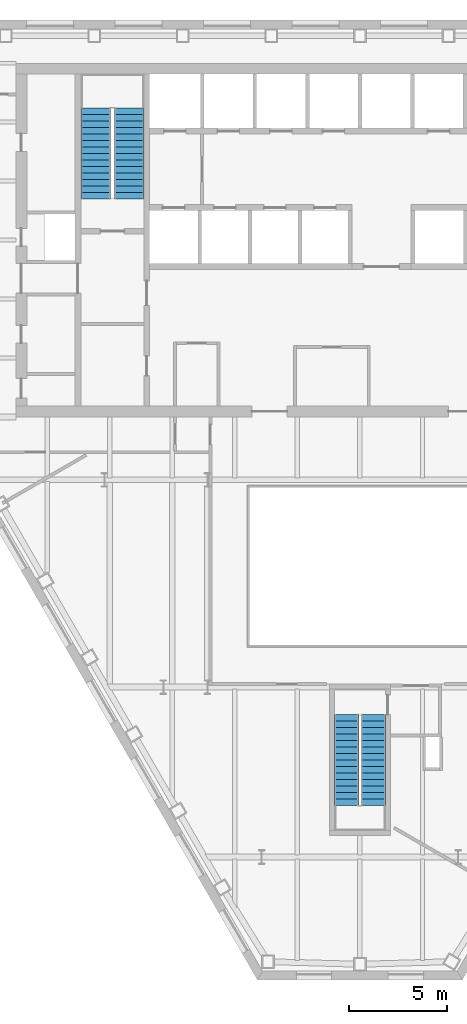
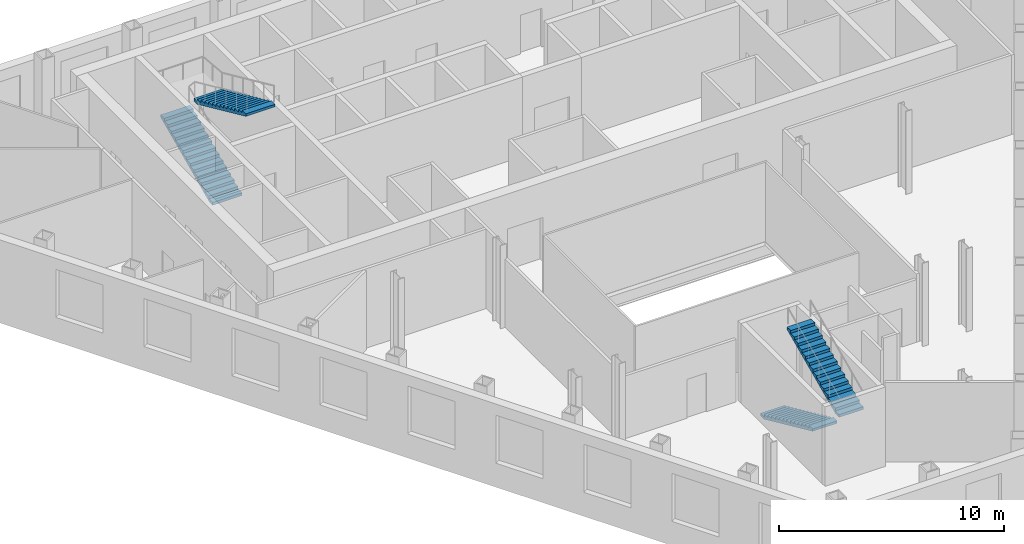
# One storey, part 9 of 11: 4 stair flights, 2 elements without a shape of their own.
"""IFC4 building model written with IfcOpenShell, lengths in metres."""

from ifc_helpers import new_model, si_unit, direction, frame, origin, place, context, subcontext, project, spatial, polygons, material, type_object, element, aggregate, save


model = new_model("IFC4")

# Units and contexts
model_context = context("Model", 3, precision=1e-05, world=origin(), true_north=direction((0.0, 1.0)))
body_context = subcontext(model_context, "Body", "Model", "MODEL_VIEW")
ifc_project = project(units=[si_unit("LENGTHUNIT", "METRE"), si_unit("AREAUNIT", "SQUARE_METRE"), si_unit("VOLUMEUNIT", "CUBIC_METRE"), si_unit("PLANEANGLEUNIT", "RADIAN"), si_unit("MASSUNIT", "GRAM", prefix="KILO")], contexts=[model_context])

# Site, building, storey
site_placement = place(None, origin())
site = spatial("IfcSite", under=ifc_project, at=site_placement, CompositionType="ELEMENT")
building_placement = place(site_placement, origin())
building = spatial("IfcBuilding", under=site, at=building_placement, Name="Njiva Tower", CompositionType="ELEMENT")
storey_placement = place(building_placement, frame((0.0, 0.0, 88.8)))
storey = spatial("IfcBuildingStorey", under=building, at=storey_placement, Name="L18", CompositionType="ELEMENT", Elevation=88.8)

# Stair, stair flights
ifc_material = material(Name="Concrete C40/50", Category="concrete")
stair_type_1 = type_object("IfcStairType", Name="ST1 Exit stair 1250", PredefinedType="HALF_TURN_STAIR", material=ifc_material)
stair_1_placement = place(storey_placement, origin())
stair_1 = element("IfcStair", 1, at=stair_1_placement, inside=storey, type_object=stair_type_1, Name="Stair C", PredefinedType="HALF_TURN_STAIR")
stair_flight_type_1 = type_object("IfcStairFlightType", Name="FL1 Stair flight 1250", PredefinedType="STRAIGHT", material=ifc_material)
stair_flight_1_placement = place(storey_placement, frame((-0.675, -15.16, 0.0), z_axis=(0.0, 0.0, 1.0), x_axis=(0.0, -1.0, 0.0)))
stair_flight_1 = element("IfcStairFlight", 2, at=stair_flight_1_placement, type_object=stair_flight_type_1, Name="ST-C flight 1", NumberOfRisers=15, NumberOfTreads=14, PredefinedType="STRAIGHT", RiserHeight=0.15, TreadLength=0.33, context=body_context, shape_type="Tessellation", body=[
    polygons([(0.0, 0.625, 0.0), (0.0, 0.3125, 0.0), (0.0, 0.0, 0.0), (0.0, -0.3125, 0.0), (0.0, -0.625, 0.0), (0.0, 0.625, 0.15), (0.0, 0.3125, 0.15), (0.0, 0.0, 0.15), (0.0, -0.3125, 0.15), (0.0, -0.625, 0.15), (0.33, 0.625, 0.15), (0.33, 0.3125, 0.15), (0.33, 0.0, 0.15), (0.33, -0.3125, 0.15), (0.33, -0.625, 0.15), (0.33, 0.625, 0.3), (0.33, 0.3125, 0.3), (0.33, 0.0, 0.3), (0.33, -0.3125, 0.3), (0.33, -0.625, 0.3), (0.66, 0.625, 0.3), (0.66, 0.3125, 0.3), (0.66, 0.0, 0.3), (0.66, -0.3125, 0.3), (0.66, -0.625, 0.3), (0.66, 0.625, 0.45), (0.66, 0.3125, 0.45), (0.66, 0.0, 0.45), (0.66, -0.3125, 0.45), (0.66, -0.625, 0.45), (0.99, 0.625, 0.45), (0.99, 0.3125, 0.45), (0.99, 0.0, 0.45), (0.99, -0.3125, 0.45), (0.99, -0.625, 0.45), (0.99, 0.625, 0.6), (0.99, 0.3125, 0.6), (0.99, 0.0, 0.6), (0.99, -0.3125, 0.6), (0.99, -0.625, 0.6), (1.32, 0.625, 0.6), (1.32, 0.3125, 0.6), (1.32, 0.0, 0.6), (1.32, -0.3125, 0.6), (1.32, -0.625, 0.6), (1.32, 0.625, 0.75), (1.32, 0.3125, 0.75), (1.32, 0.0, 0.75), (1.32, -0.3125, 0.75), (1.32, -0.625, 0.75), (1.65, 0.625, 0.75), (1.65, 0.3125, 0.75), (1.65, 0.0, 0.75), (1.65, -0.3125, 0.75), (1.65, -0.625, 0.75), (1.65, 0.625, 0.9), (1.65, 0.3125, 0.9), (1.65, 0.0, 0.9), (1.65, -0.3125, 0.9), (1.65, -0.625, 0.9), (1.98, 0.625, 0.9), (1.98, 0.3125, 0.9), (1.98, 0.0, 0.9), (1.98, -0.3125, 0.9), (1.98, -0.625, 0.9), (1.98, 0.625, 1.05), (1.98, 0.3125, 1.05), (1.98, 0.0, 1.05), (1.98, -0.3125, 1.05), (1.98, -0.625, 1.05), (2.31, 0.625, 1.05), (2.31, 0.3125, 1.05), (2.31, 0.0, 1.05), (2.31, -0.3125, 1.05), (2.31, -0.625, 1.05), (2.31, 0.625, 1.2), (2.31, 0.3125, 1.2), (2.31, 0.0, 1.2), (2.31, -0.3125, 1.2), (2.31, -0.625, 1.2), (2.64, 0.625, 1.2), (2.64, 0.3125, 1.2), (2.64, 0.0, 1.2), (2.64, -0.3125, 1.2), (2.64, -0.625, 1.2), (2.64, 0.625, 1.35), (2.64, 0.3125, 1.35), (2.64, 0.0, 1.35), (2.64, -0.3125, 1.35), (2.64, -0.625, 1.35), (2.97, 0.625, 1.35), (2.97, 0.3125, 1.35), (2.97, 0.0, 1.35), (2.97, -0.3125, 1.35), (2.97, -0.625, 1.35), (2.97, 0.625, 1.5), (2.97, 0.3125, 1.5), (2.97, 0.0, 1.5), (2.97, -0.3125, 1.5), (2.97, -0.625, 1.5), (3.3, 0.625, 1.5), (3.3, 0.3125, 1.5), (3.3, 0.0, 1.5), (3.3, -0.3125, 1.5), (3.3, -0.625, 1.5), (3.3, 0.625, 1.65), (3.3, 0.3125, 1.65), (3.3, 0.0, 1.65), (3.3, -0.3125, 1.65), (3.3, -0.625, 1.65), (3.63, 0.625, 1.65), (3.63, 0.3125, 1.65), (3.63, 0.0, 1.65), (3.63, -0.3125, 1.65), (3.63, -0.625, 1.65), (3.63, 0.625, 1.8), (3.63, 0.3125, 1.8), (3.63, 0.0, 1.8), (3.63, -0.3125, 1.8), (3.63, -0.625, 1.8), (3.96, 0.625, 1.8), (3.96, 0.3125, 1.8), (3.96, 0.0, 1.8), (3.96, -0.3125, 1.8), (3.96, -0.625, 1.8), (3.96, 0.625, 1.95), (3.96, 0.3125, 1.95), (3.96, 0.0, 1.95), (3.96, -0.3125, 1.95), (3.96, -0.625, 1.95), (4.29, 0.625, 1.95), (4.29, 0.3125, 1.95), (4.29, 0.0, 1.95), (4.29, -0.3125, 1.95), (4.29, -0.625, 1.95), (4.29, 0.625, 2.1), (4.29, 0.3125, 2.1), (4.29, 0.0, 2.1), (4.29, -0.3125, 2.1), (4.29, -0.625, 2.1), (4.62, 0.625, 2.1), (4.62, 0.3125, 2.1), (4.62, 0.0, 2.1), (4.62, -0.3125, 2.1), (4.62, -0.625, 2.1), (4.62, 0.625, 1.9682), (4.62, 0.3125, 1.9682), (4.62, 0.0, 1.9682), (4.62, -0.3125, 1.9682), (4.62, -0.625, 1.9682), (0.29, 0.625, 0.0), (0.29, 0.3125, 0.0), (0.29, 0.0, 0.0), (0.29, -0.3125, 0.0), (0.29, -0.625, 0.0)], [[[1, 6, 11, 16, 21, 26, 31, 36, 41, 46, 51, 56, 61, 66, 71, 76, 81, 86, 91, 96, 101, 106, 111, 116, 121, 126, 131, 136, 141, 146, 151]], [[155, 150, 145, 140, 135, 130, 125, 120, 115, 110, 105, 100, 95, 90, 85, 80, 75, 70, 65, 60, 55, 50, 45, 40, 35, 30, 25, 20, 15, 10, 5]], [[6, 1, 2, 7]], [[7, 2, 3, 8]], [[8, 3, 4, 9]], [[9, 4, 5, 10]], [[11, 6, 7, 12]], [[12, 7, 8, 13]], [[13, 8, 9, 14]], [[14, 9, 10, 15]], [[16, 11, 12, 17]], [[17, 12, 13, 18]], [[18, 13, 14, 19]], [[19, 14, 15, 20]], [[21, 16, 17, 22]], [[22, 17, 18, 23]], [[23, 18, 19, 24]], [[24, 19, 20, 25]], [[26, 21, 22, 27]], [[27, 22, 23, 28]], [[28, 23, 24, 29]], [[29, 24, 25, 30]], [[31, 26, 27, 32]], [[32, 27, 28, 33]], [[33, 28, 29, 34]], [[34, 29, 30, 35]], [[36, 31, 32, 37]], [[37, 32, 33, 38]], [[38, 33, 34, 39]], [[39, 34, 35, 40]], [[41, 36, 37, 42]], [[42, 37, 38, 43]], [[43, 38, 39, 44]], [[44, 39, 40, 45]], [[46, 41, 42, 47]], [[47, 42, 43, 48]], [[48, 43, 44, 49]], [[49, 44, 45, 50]], [[51, 46, 47, 52]], [[52, 47, 48, 53]], [[53, 48, 49, 54]], [[54, 49, 50, 55]], [[56, 51, 52, 57]], [[57, 52, 53, 58]], [[58, 53, 54, 59]], [[59, 54, 55, 60]], [[61, 56, 57, 62]], [[62, 57, 58, 63]], [[63, 58, 59, 64]], [[64, 59, 60, 65]], [[66, 61, 62, 67]], [[67, 62, 63, 68]], [[68, 63, 64, 69]], [[69, 64, 65, 70]], [[71, 66, 67, 72]], [[72, 67, 68, 73]], [[73, 68, 69, 74]], [[74, 69, 70, 75]], [[76, 71, 72, 77]], [[77, 72, 73, 78]], [[78, 73, 74, 79]], [[79, 74, 75, 80]], [[81, 76, 77, 82]], [[82, 77, 78, 83]], [[83, 78, 79, 84]], [[84, 79, 80, 85]], [[86, 81, 82, 87]], [[87, 82, 83, 88]], [[88, 83, 84, 89]], [[89, 84, 85, 90]], [[91, 86, 87, 92]], [[92, 87, 88, 93]], [[93, 88, 89, 94]], [[94, 89, 90, 95]], [[96, 91, 92, 97]], [[97, 92, 93, 98]], [[98, 93, 94, 99]], [[99, 94, 95, 100]], [[101, 96, 97, 102]], [[102, 97, 98, 103]], [[103, 98, 99, 104]], [[104, 99, 100, 105]], [[106, 101, 102, 107]], [[107, 102, 103, 108]], [[108, 103, 104, 109]], [[109, 104, 105, 110]], [[111, 106, 107, 112]], [[112, 107, 108, 113]], [[113, 108, 109, 114]], [[114, 109, 110, 115]], [[116, 111, 112, 117]], [[117, 112, 113, 118]], [[118, 113, 114, 119]], [[119, 114, 115, 120]], [[121, 116, 117, 122]], [[122, 117, 118, 123]], [[123, 118, 119, 124]], [[124, 119, 120, 125]], [[126, 121, 122, 127]], [[127, 122, 123, 128]], [[128, 123, 124, 129]], [[129, 124, 125, 130]], [[131, 126, 127, 132]], [[132, 127, 128, 133]], [[133, 128, 129, 134]], [[134, 129, 130, 135]], [[136, 131, 132, 137]], [[137, 132, 133, 138]], [[138, 133, 134, 139]], [[139, 134, 135, 140]], [[141, 136, 137, 142]], [[142, 137, 138, 143]], [[143, 138, 139, 144]], [[144, 139, 140, 145]], [[146, 141, 142, 147]], [[147, 142, 143, 148]], [[148, 143, 144, 149]], [[149, 144, 145, 150]], [[151, 146, 147, 152]], [[152, 147, 148, 153]], [[153, 148, 149, 154]], [[154, 149, 150, 155]], [[1, 151, 152, 2]], [[2, 152, 153, 3]], [[3, 153, 154, 4]], [[4, 154, 155, 5]]], closed=True),
])
stair_flight_2_placement = place(storey_placement, frame((0.675, -19.78, 2.25), z_axis=(0.0, 0.0, 1.0), x_axis=(0.0, 1.0, 0.0)))
stair_flight_2 = element("IfcStairFlight", 3, at=stair_flight_2_placement, type_object=stair_flight_type_1, Name="ST-C flight 2", NumberOfRisers=15, NumberOfTreads=14, PredefinedType="STRAIGHT", RiserHeight=0.15, TreadLength=0.33, context=body_context, shape_type="Tessellation", body=[
    polygons([(0.0, 0.625, 0.0), (0.0, 0.3125, 0.0), (0.0, 0.0, 0.0), (0.0, -0.3125, 0.0), (0.0, -0.625, 0.0), (0.0, 0.625, 0.15), (0.0, 0.3125, 0.15), (0.0, 0.0, 0.15), (0.0, -0.3125, 0.15), (0.0, -0.625, 0.15), (0.33, 0.625, 0.15), (0.33, 0.3125, 0.15), (0.33, 0.0, 0.15), (0.33, -0.3125, 0.15), (0.33, -0.625, 0.15), (0.33, 0.625, 0.3), (0.33, 0.3125, 0.3), (0.33, 0.0, 0.3), (0.33, -0.3125, 0.3), (0.33, -0.625, 0.3), (0.66, 0.625, 0.3), (0.66, 0.3125, 0.3), (0.66, 0.0, 0.3), (0.66, -0.3125, 0.3), (0.66, -0.625, 0.3), (0.66, 0.625, 0.45), (0.66, 0.3125, 0.45), (0.66, 0.0, 0.45), (0.66, -0.3125, 0.45), (0.66, -0.625, 0.45), (0.99, 0.625, 0.45), (0.99, 0.3125, 0.45), (0.99, 0.0, 0.45), (0.99, -0.3125, 0.45), (0.99, -0.625, 0.45), (0.99, 0.625, 0.6), (0.99, 0.3125, 0.6), (0.99, 0.0, 0.6), (0.99, -0.3125, 0.6), (0.99, -0.625, 0.6), (1.32, 0.625, 0.6), (1.32, 0.3125, 0.6), (1.32, 0.0, 0.6), (1.32, -0.3125, 0.6), (1.32, -0.625, 0.6), (1.32, 0.625, 0.75), (1.32, 0.3125, 0.75), (1.32, 0.0, 0.75), (1.32, -0.3125, 0.75), (1.32, -0.625, 0.75), (1.65, 0.625, 0.75), (1.65, 0.3125, 0.75), (1.65, 0.0, 0.75), (1.65, -0.3125, 0.75), (1.65, -0.625, 0.75), (1.65, 0.625, 0.9), (1.65, 0.3125, 0.9), (1.65, 0.0, 0.9), (1.65, -0.3125, 0.9), (1.65, -0.625, 0.9), (1.98, 0.625, 0.9), (1.98, 0.3125, 0.9), (1.98, 0.0, 0.9), (1.98, -0.3125, 0.9), (1.98, -0.625, 0.9), (1.98, 0.625, 1.05), (1.98, 0.3125, 1.05), (1.98, 0.0, 1.05), (1.98, -0.3125, 1.05), (1.98, -0.625, 1.05), (2.31, 0.625, 1.05), (2.31, 0.3125, 1.05), (2.31, 0.0, 1.05), (2.31, -0.3125, 1.05), (2.31, -0.625, 1.05), (2.31, 0.625, 1.2), (2.31, 0.3125, 1.2), (2.31, 0.0, 1.2), (2.31, -0.3125, 1.2), (2.31, -0.625, 1.2), (2.64, 0.625, 1.2), (2.64, 0.3125, 1.2), (2.64, 0.0, 1.2), (2.64, -0.3125, 1.2), (2.64, -0.625, 1.2), (2.64, 0.625, 1.35), (2.64, 0.3125, 1.35), (2.64, 0.0, 1.35), (2.64, -0.3125, 1.35), (2.64, -0.625, 1.35), (2.97, 0.625, 1.35), (2.97, 0.3125, 1.35), (2.97, 0.0, 1.35), (2.97, -0.3125, 1.35), (2.97, -0.625, 1.35), (2.97, 0.625, 1.5), (2.97, 0.3125, 1.5), (2.97, 0.0, 1.5), (2.97, -0.3125, 1.5), (2.97, -0.625, 1.5), (3.3, 0.625, 1.5), (3.3, 0.3125, 1.5), (3.3, 0.0, 1.5), (3.3, -0.3125, 1.5), (3.3, -0.625, 1.5), (3.3, 0.625, 1.65), (3.3, 0.3125, 1.65), (3.3, 0.0, 1.65), (3.3, -0.3125, 1.65), (3.3, -0.625, 1.65), (3.63, 0.625, 1.65), (3.63, 0.3125, 1.65), (3.63, 0.0, 1.65), (3.63, -0.3125, 1.65), (3.63, -0.625, 1.65), (3.63, 0.625, 1.8), (3.63, 0.3125, 1.8), (3.63, 0.0, 1.8), (3.63, -0.3125, 1.8), (3.63, -0.625, 1.8), (3.96, 0.625, 1.8), (3.96, 0.3125, 1.8), (3.96, 0.0, 1.8), (3.96, -0.3125, 1.8), (3.96, -0.625, 1.8), (3.96, 0.625, 1.95), (3.96, 0.3125, 1.95), (3.96, 0.0, 1.95), (3.96, -0.3125, 1.95), (3.96, -0.625, 1.95), (4.29, 0.625, 1.95), (4.29, 0.3125, 1.95), (4.29, 0.0, 1.95), (4.29, -0.3125, 1.95), (4.29, -0.625, 1.95), (4.29, 0.625, 2.1), (4.29, 0.3125, 2.1), (4.29, 0.0, 2.1), (4.29, -0.3125, 2.1), (4.29, -0.625, 2.1), (4.62, 0.625, 2.1), (4.62, 0.3125, 2.1), (4.62, 0.0, 2.1), (4.62, -0.3125, 2.1), (4.62, -0.625, 2.1), (4.62, 0.625, 1.9682), (4.62, 0.3125, 1.9682), (4.62, 0.0, 1.9682), (4.62, -0.3125, 1.9682), (4.62, -0.625, 1.9682), (0.29, 0.625, 0.0), (0.29, 0.3125, 0.0), (0.29, 0.0, 0.0), (0.29, -0.3125, 0.0), (0.29, -0.625, 0.0)], [[[1, 6, 11, 16, 21, 26, 31, 36, 41, 46, 51, 56, 61, 66, 71, 76, 81, 86, 91, 96, 101, 106, 111, 116, 121, 126, 131, 136, 141, 146, 151]], [[155, 150, 145, 140, 135, 130, 125, 120, 115, 110, 105, 100, 95, 90, 85, 80, 75, 70, 65, 60, 55, 50, 45, 40, 35, 30, 25, 20, 15, 10, 5]], [[6, 1, 2, 7]], [[7, 2, 3, 8]], [[8, 3, 4, 9]], [[9, 4, 5, 10]], [[11, 6, 7, 12]], [[12, 7, 8, 13]], [[13, 8, 9, 14]], [[14, 9, 10, 15]], [[16, 11, 12, 17]], [[17, 12, 13, 18]], [[18, 13, 14, 19]], [[19, 14, 15, 20]], [[21, 16, 17, 22]], [[22, 17, 18, 23]], [[23, 18, 19, 24]], [[24, 19, 20, 25]], [[26, 21, 22, 27]], [[27, 22, 23, 28]], [[28, 23, 24, 29]], [[29, 24, 25, 30]], [[31, 26, 27, 32]], [[32, 27, 28, 33]], [[33, 28, 29, 34]], [[34, 29, 30, 35]], [[36, 31, 32, 37]], [[37, 32, 33, 38]], [[38, 33, 34, 39]], [[39, 34, 35, 40]], [[41, 36, 37, 42]], [[42, 37, 38, 43]], [[43, 38, 39, 44]], [[44, 39, 40, 45]], [[46, 41, 42, 47]], [[47, 42, 43, 48]], [[48, 43, 44, 49]], [[49, 44, 45, 50]], [[51, 46, 47, 52]], [[52, 47, 48, 53]], [[53, 48, 49, 54]], [[54, 49, 50, 55]], [[56, 51, 52, 57]], [[57, 52, 53, 58]], [[58, 53, 54, 59]], [[59, 54, 55, 60]], [[61, 56, 57, 62]], [[62, 57, 58, 63]], [[63, 58, 59, 64]], [[64, 59, 60, 65]], [[66, 61, 62, 67]], [[67, 62, 63, 68]], [[68, 63, 64, 69]], [[69, 64, 65, 70]], [[71, 66, 67, 72]], [[72, 67, 68, 73]], [[73, 68, 69, 74]], [[74, 69, 70, 75]], [[76, 71, 72, 77]], [[77, 72, 73, 78]], [[78, 73, 74, 79]], [[79, 74, 75, 80]], [[81, 76, 77, 82]], [[82, 77, 78, 83]], [[83, 78, 79, 84]], [[84, 79, 80, 85]], [[86, 81, 82, 87]], [[87, 82, 83, 88]], [[88, 83, 84, 89]], [[89, 84, 85, 90]], [[91, 86, 87, 92]], [[92, 87, 88, 93]], [[93, 88, 89, 94]], [[94, 89, 90, 95]], [[96, 91, 92, 97]], [[97, 92, 93, 98]], [[98, 93, 94, 99]], [[99, 94, 95, 100]], [[101, 96, 97, 102]], [[102, 97, 98, 103]], [[103, 98, 99, 104]], [[104, 99, 100, 105]], [[106, 101, 102, 107]], [[107, 102, 103, 108]], [[108, 103, 104, 109]], [[109, 104, 105, 110]], [[111, 106, 107, 112]], [[112, 107, 108, 113]], [[113, 108, 109, 114]], [[114, 109, 110, 115]], [[116, 111, 112, 117]], [[117, 112, 113, 118]], [[118, 113, 114, 119]], [[119, 114, 115, 120]], [[121, 116, 117, 122]], [[122, 117, 118, 123]], [[123, 118, 119, 124]], [[124, 119, 120, 125]], [[126, 121, 122, 127]], [[127, 122, 123, 128]], [[128, 123, 124, 129]], [[129, 124, 125, 130]], [[131, 126, 127, 132]], [[132, 127, 128, 133]], [[133, 128, 129, 134]], [[134, 129, 130, 135]], [[136, 131, 132, 137]], [[137, 132, 133, 138]], [[138, 133, 134, 139]], [[139, 134, 135, 140]], [[141, 136, 137, 142]], [[142, 137, 138, 143]], [[143, 138, 139, 144]], [[144, 139, 140, 145]], [[146, 141, 142, 147]], [[147, 142, 143, 148]], [[148, 143, 144, 149]], [[149, 144, 145, 150]], [[151, 146, 147, 152]], [[152, 147, 148, 153]], [[153, 148, 149, 154]], [[154, 149, 150, 155]], [[1, 151, 152, 2]], [[2, 152, 153, 3]], [[3, 153, 154, 4]], [[4, 154, 155, 5]]], closed=True),
])
aggregate(stair_1, [stair_flight_1, stair_flight_2])

stair_type_2 = type_object("IfcStairType", Name="ST4 Exit stair 1500", PredefinedType="HALF_TURN_STAIR", material=ifc_material)
stair_2_placement = place(storey_placement, origin())
stair_2 = element("IfcStair", 4, at=stair_2_placement, inside=storey, type_object=stair_type_2, Name="Stair A", PredefinedType="HALF_TURN_STAIR")
stair_flight_type_2 = type_object("IfcStairFlightType", Name="FL4 Stair flight 1500", PredefinedType="STRAIGHT", material=ifc_material)
stair_flight_3_placement = place(storey_placement, frame((-13.45, 11.1, 0.0), z_axis=(0.0, 0.0, 1.0), x_axis=(0.0, 1.0, 0.0)))
stair_flight_3 = element("IfcStairFlight", 5, at=stair_flight_3_placement, type_object=stair_flight_type_2, Name="ST-A flight 1", NumberOfRisers=15, NumberOfTreads=14, PredefinedType="STRAIGHT", RiserHeight=0.15, TreadLength=0.33, context=body_context, shape_type="Tessellation", body=[
    polygons([(0.0, 0.75, 0.0), (0.0, 0.375, 0.0), (0.0, 0.0, 0.0), (0.0, -0.375, 0.0), (0.0, -0.75, 0.0), (0.0, 0.75, 0.15), (0.0, 0.375, 0.15), (0.0, 0.0, 0.15), (0.0, -0.375, 0.15), (0.0, -0.75, 0.15), (0.33, 0.75, 0.15), (0.33, 0.375, 0.15), (0.33, 0.0, 0.15), (0.33, -0.375, 0.15), (0.33, -0.75, 0.15), (0.33, 0.75, 0.3), (0.33, 0.375, 0.3), (0.33, 0.0, 0.3), (0.33, -0.375, 0.3), (0.33, -0.75, 0.3), (0.66, 0.75, 0.3), (0.66, 0.375, 0.3), (0.66, 0.0, 0.3), (0.66, -0.375, 0.3), (0.66, -0.75, 0.3), (0.66, 0.75, 0.45), (0.66, 0.375, 0.45), (0.66, 0.0, 0.45), (0.66, -0.375, 0.45), (0.66, -0.75, 0.45), (0.99, 0.75, 0.45), (0.99, 0.375, 0.45), (0.99, 0.0, 0.45), (0.99, -0.375, 0.45), (0.99, -0.75, 0.45), (0.99, 0.75, 0.6), (0.99, 0.375, 0.6), (0.99, 0.0, 0.6), (0.99, -0.375, 0.6), (0.99, -0.75, 0.6), (1.32, 0.75, 0.6), (1.32, 0.375, 0.6), (1.32, 0.0, 0.6), (1.32, -0.375, 0.6), (1.32, -0.75, 0.6), (1.32, 0.75, 0.75), (1.32, 0.375, 0.75), (1.32, 0.0, 0.75), (1.32, -0.375, 0.75), (1.32, -0.75, 0.75), (1.65, 0.75, 0.75), (1.65, 0.375, 0.75), (1.65, 0.0, 0.75), (1.65, -0.375, 0.75), (1.65, -0.75, 0.75), (1.65, 0.75, 0.9), (1.65, 0.375, 0.9), (1.65, 0.0, 0.9), (1.65, -0.375, 0.9), (1.65, -0.75, 0.9), (1.98, 0.75, 0.9), (1.98, 0.375, 0.9), (1.98, 0.0, 0.9), (1.98, -0.375, 0.9), (1.98, -0.75, 0.9), (1.98, 0.75, 1.05), (1.98, 0.375, 1.05), (1.98, 0.0, 1.05), (1.98, -0.375, 1.05), (1.98, -0.75, 1.05), (2.31, 0.75, 1.05), (2.31, 0.375, 1.05), (2.31, 0.0, 1.05), (2.31, -0.375, 1.05), (2.31, -0.75, 1.05), (2.31, 0.75, 1.2), (2.31, 0.375, 1.2), (2.31, 0.0, 1.2), (2.31, -0.375, 1.2), (2.31, -0.75, 1.2), (2.64, 0.75, 1.2), (2.64, 0.375, 1.2), (2.64, 0.0, 1.2), (2.64, -0.375, 1.2), (2.64, -0.75, 1.2), (2.64, 0.75, 1.35), (2.64, 0.375, 1.35), (2.64, 0.0, 1.35), (2.64, -0.375, 1.35), (2.64, -0.75, 1.35), (2.97, 0.75, 1.35), (2.97, 0.375, 1.35), (2.97, 0.0, 1.35), (2.97, -0.375, 1.35), (2.97, -0.75, 1.35), (2.97, 0.75, 1.5), (2.97, 0.375, 1.5), (2.97, 0.0, 1.5), (2.97, -0.375, 1.5), (2.97, -0.75, 1.5), (3.3, 0.75, 1.5), (3.3, 0.375, 1.5), (3.3, 0.0, 1.5), (3.3, -0.375, 1.5), (3.3, -0.75, 1.5), (3.3, 0.75, 1.65), (3.3, 0.375, 1.65), (3.3, 0.0, 1.65), (3.3, -0.375, 1.65), (3.3, -0.75, 1.65), (3.63, 0.75, 1.65), (3.63, 0.375, 1.65), (3.63, 0.0, 1.65), (3.63, -0.375, 1.65), (3.63, -0.75, 1.65), (3.63, 0.75, 1.8), (3.63, 0.375, 1.8), (3.63, 0.0, 1.8), (3.63, -0.375, 1.8), (3.63, -0.75, 1.8), (3.96, 0.75, 1.8), (3.96, 0.375, 1.8), (3.96, 0.0, 1.8), (3.96, -0.375, 1.8), (3.96, -0.75, 1.8), (3.96, 0.75, 1.95), (3.96, 0.375, 1.95), (3.96, 0.0, 1.95), (3.96, -0.375, 1.95), (3.96, -0.75, 1.95), (4.29, 0.75, 1.95), (4.29, 0.375, 1.95), (4.29, 0.0, 1.95), (4.29, -0.375, 1.95), (4.29, -0.75, 1.95), (4.29, 0.75, 2.1), (4.29, 0.375, 2.1), (4.29, 0.0, 2.1), (4.29, -0.375, 2.1), (4.29, -0.75, 2.1), (4.62, 0.75, 2.1), (4.62, 0.375, 2.1), (4.62, 0.0, 2.1), (4.62, -0.375, 2.1), (4.62, -0.75, 2.1), (4.62, 0.75, 1.9682), (4.62, 0.375, 1.9682), (4.62, 0.0, 1.9682), (4.62, -0.375, 1.9682), (4.62, -0.75, 1.9682), (0.29, 0.75, 0.0), (0.29, 0.375, 0.0), (0.29, 0.0, 0.0), (0.29, -0.375, 0.0), (0.29, -0.75, 0.0)], [[[1, 6, 11, 16, 21, 26, 31, 36, 41, 46, 51, 56, 61, 66, 71, 76, 81, 86, 91, 96, 101, 106, 111, 116, 121, 126, 131, 136, 141, 146, 151]], [[155, 150, 145, 140, 135, 130, 125, 120, 115, 110, 105, 100, 95, 90, 85, 80, 75, 70, 65, 60, 55, 50, 45, 40, 35, 30, 25, 20, 15, 10, 5]], [[6, 1, 2, 7]], [[7, 2, 3, 8]], [[8, 3, 4, 9]], [[9, 4, 5, 10]], [[11, 6, 7, 12]], [[12, 7, 8, 13]], [[13, 8, 9, 14]], [[14, 9, 10, 15]], [[16, 11, 12, 17]], [[17, 12, 13, 18]], [[18, 13, 14, 19]], [[19, 14, 15, 20]], [[21, 16, 17, 22]], [[22, 17, 18, 23]], [[23, 18, 19, 24]], [[24, 19, 20, 25]], [[26, 21, 22, 27]], [[27, 22, 23, 28]], [[28, 23, 24, 29]], [[29, 24, 25, 30]], [[31, 26, 27, 32]], [[32, 27, 28, 33]], [[33, 28, 29, 34]], [[34, 29, 30, 35]], [[36, 31, 32, 37]], [[37, 32, 33, 38]], [[38, 33, 34, 39]], [[39, 34, 35, 40]], [[41, 36, 37, 42]], [[42, 37, 38, 43]], [[43, 38, 39, 44]], [[44, 39, 40, 45]], [[46, 41, 42, 47]], [[47, 42, 43, 48]], [[48, 43, 44, 49]], [[49, 44, 45, 50]], [[51, 46, 47, 52]], [[52, 47, 48, 53]], [[53, 48, 49, 54]], [[54, 49, 50, 55]], [[56, 51, 52, 57]], [[57, 52, 53, 58]], [[58, 53, 54, 59]], [[59, 54, 55, 60]], [[61, 56, 57, 62]], [[62, 57, 58, 63]], [[63, 58, 59, 64]], [[64, 59, 60, 65]], [[66, 61, 62, 67]], [[67, 62, 63, 68]], [[68, 63, 64, 69]], [[69, 64, 65, 70]], [[71, 66, 67, 72]], [[72, 67, 68, 73]], [[73, 68, 69, 74]], [[74, 69, 70, 75]], [[76, 71, 72, 77]], [[77, 72, 73, 78]], [[78, 73, 74, 79]], [[79, 74, 75, 80]], [[81, 76, 77, 82]], [[82, 77, 78, 83]], [[83, 78, 79, 84]], [[84, 79, 80, 85]], [[86, 81, 82, 87]], [[87, 82, 83, 88]], [[88, 83, 84, 89]], [[89, 84, 85, 90]], [[91, 86, 87, 92]], [[92, 87, 88, 93]], [[93, 88, 89, 94]], [[94, 89, 90, 95]], [[96, 91, 92, 97]], [[97, 92, 93, 98]], [[98, 93, 94, 99]], [[99, 94, 95, 100]], [[101, 96, 97, 102]], [[102, 97, 98, 103]], [[103, 98, 99, 104]], [[104, 99, 100, 105]], [[106, 101, 102, 107]], [[107, 102, 103, 108]], [[108, 103, 104, 109]], [[109, 104, 105, 110]], [[111, 106, 107, 112]], [[112, 107, 108, 113]], [[113, 108, 109, 114]], [[114, 109, 110, 115]], [[116, 111, 112, 117]], [[117, 112, 113, 118]], [[118, 113, 114, 119]], [[119, 114, 115, 120]], [[121, 116, 117, 122]], [[122, 117, 118, 123]], [[123, 118, 119, 124]], [[124, 119, 120, 125]], [[126, 121, 122, 127]], [[127, 122, 123, 128]], [[128, 123, 124, 129]], [[129, 124, 125, 130]], [[131, 126, 127, 132]], [[132, 127, 128, 133]], [[133, 128, 129, 134]], [[134, 129, 130, 135]], [[136, 131, 132, 137]], [[137, 132, 133, 138]], [[138, 133, 134, 139]], [[139, 134, 135, 140]], [[141, 136, 137, 142]], [[142, 137, 138, 143]], [[143, 138, 139, 144]], [[144, 139, 140, 145]], [[146, 141, 142, 147]], [[147, 142, 143, 148]], [[148, 143, 144, 149]], [[149, 144, 145, 150]], [[151, 146, 147, 152]], [[152, 147, 148, 153]], [[153, 148, 149, 154]], [[154, 149, 150, 155]], [[1, 151, 152, 2]], [[2, 152, 153, 3]], [[3, 153, 154, 4]], [[4, 154, 155, 5]]], closed=True),
])
stair_flight_4_placement = place(storey_placement, frame((-11.75, 15.72, 2.25), z_axis=(0.0, 0.0, 1.0), x_axis=(0.0, -1.0, 0.0)))
stair_flight_4 = element("IfcStairFlight", 6, at=stair_flight_4_placement, type_object=stair_flight_type_2, Name="ST-A flight 2", NumberOfRisers=15, NumberOfTreads=14, PredefinedType="STRAIGHT", RiserHeight=0.15, TreadLength=0.33, context=body_context, shape_type="Tessellation", body=[
    polygons([(0.0, 0.75, 0.0), (0.0, 0.375, 0.0), (0.0, 0.0, 0.0), (0.0, -0.375, 0.0), (0.0, -0.75, 0.0), (0.0, 0.75, 0.15), (0.0, 0.375, 0.15), (0.0, 0.0, 0.15), (0.0, -0.375, 0.15), (0.0, -0.75, 0.15), (0.33, 0.75, 0.15), (0.33, 0.375, 0.15), (0.33, 0.0, 0.15), (0.33, -0.375, 0.15), (0.33, -0.75, 0.15), (0.33, 0.75, 0.3), (0.33, 0.375, 0.3), (0.33, 0.0, 0.3), (0.33, -0.375, 0.3), (0.33, -0.75, 0.3), (0.66, 0.75, 0.3), (0.66, 0.375, 0.3), (0.66, 0.0, 0.3), (0.66, -0.375, 0.3), (0.66, -0.75, 0.3), (0.66, 0.75, 0.45), (0.66, 0.375, 0.45), (0.66, 0.0, 0.45), (0.66, -0.375, 0.45), (0.66, -0.75, 0.45), (0.99, 0.75, 0.45), (0.99, 0.375, 0.45), (0.99, 0.0, 0.45), (0.99, -0.375, 0.45), (0.99, -0.75, 0.45), (0.99, 0.75, 0.6), (0.99, 0.375, 0.6), (0.99, 0.0, 0.6), (0.99, -0.375, 0.6), (0.99, -0.75, 0.6), (1.32, 0.75, 0.6), (1.32, 0.375, 0.6), (1.32, 0.0, 0.6), (1.32, -0.375, 0.6), (1.32, -0.75, 0.6), (1.32, 0.75, 0.75), (1.32, 0.375, 0.75), (1.32, 0.0, 0.75), (1.32, -0.375, 0.75), (1.32, -0.75, 0.75), (1.65, 0.75, 0.75), (1.65, 0.375, 0.75), (1.65, 0.0, 0.75), (1.65, -0.375, 0.75), (1.65, -0.75, 0.75), (1.65, 0.75, 0.9), (1.65, 0.375, 0.9), (1.65, 0.0, 0.9), (1.65, -0.375, 0.9), (1.65, -0.75, 0.9), (1.98, 0.75, 0.9), (1.98, 0.375, 0.9), (1.98, 0.0, 0.9), (1.98, -0.375, 0.9), (1.98, -0.75, 0.9), (1.98, 0.75, 1.05), (1.98, 0.375, 1.05), (1.98, 0.0, 1.05), (1.98, -0.375, 1.05), (1.98, -0.75, 1.05), (2.31, 0.75, 1.05), (2.31, 0.375, 1.05), (2.31, 0.0, 1.05), (2.31, -0.375, 1.05), (2.31, -0.75, 1.05), (2.31, 0.75, 1.2), (2.31, 0.375, 1.2), (2.31, 0.0, 1.2), (2.31, -0.375, 1.2), (2.31, -0.75, 1.2), (2.64, 0.75, 1.2), (2.64, 0.375, 1.2), (2.64, 0.0, 1.2), (2.64, -0.375, 1.2), (2.64, -0.75, 1.2), (2.64, 0.75, 1.35), (2.64, 0.375, 1.35), (2.64, 0.0, 1.35), (2.64, -0.375, 1.35), (2.64, -0.75, 1.35), (2.97, 0.75, 1.35), (2.97, 0.375, 1.35), (2.97, 0.0, 1.35), (2.97, -0.375, 1.35), (2.97, -0.75, 1.35), (2.97, 0.75, 1.5), (2.97, 0.375, 1.5), (2.97, 0.0, 1.5), (2.97, -0.375, 1.5), (2.97, -0.75, 1.5), (3.3, 0.75, 1.5), (3.3, 0.375, 1.5), (3.3, 0.0, 1.5), (3.3, -0.375, 1.5), (3.3, -0.75, 1.5), (3.3, 0.75, 1.65), (3.3, 0.375, 1.65), (3.3, 0.0, 1.65), (3.3, -0.375, 1.65), (3.3, -0.75, 1.65), (3.63, 0.75, 1.65), (3.63, 0.375, 1.65), (3.63, 0.0, 1.65), (3.63, -0.375, 1.65), (3.63, -0.75, 1.65), (3.63, 0.75, 1.8), (3.63, 0.375, 1.8), (3.63, 0.0, 1.8), (3.63, -0.375, 1.8), (3.63, -0.75, 1.8), (3.96, 0.75, 1.8), (3.96, 0.375, 1.8), (3.96, 0.0, 1.8), (3.96, -0.375, 1.8), (3.96, -0.75, 1.8), (3.96, 0.75, 1.95), (3.96, 0.375, 1.95), (3.96, 0.0, 1.95), (3.96, -0.375, 1.95), (3.96, -0.75, 1.95), (4.29, 0.75, 1.95), (4.29, 0.375, 1.95), (4.29, 0.0, 1.95), (4.29, -0.375, 1.95), (4.29, -0.75, 1.95), (4.29, 0.75, 2.1), (4.29, 0.375, 2.1), (4.29, 0.0, 2.1), (4.29, -0.375, 2.1), (4.29, -0.75, 2.1), (4.62, 0.75, 2.1), (4.62, 0.375, 2.1), (4.62, 0.0, 2.1), (4.62, -0.375, 2.1), (4.62, -0.75, 2.1), (4.62, 0.75, 1.9682), (4.62, 0.375, 1.9682), (4.62, 0.0, 1.9682), (4.62, -0.375, 1.9682), (4.62, -0.75, 1.9682), (0.29, 0.75, 0.0), (0.29, 0.375, 0.0), (0.29, 0.0, 0.0), (0.29, -0.375, 0.0), (0.29, -0.75, 0.0)], [[[1, 6, 11, 16, 21, 26, 31, 36, 41, 46, 51, 56, 61, 66, 71, 76, 81, 86, 91, 96, 101, 106, 111, 116, 121, 126, 131, 136, 141, 146, 151]], [[155, 150, 145, 140, 135, 130, 125, 120, 115, 110, 105, 100, 95, 90, 85, 80, 75, 70, 65, 60, 55, 50, 45, 40, 35, 30, 25, 20, 15, 10, 5]], [[6, 1, 2, 7]], [[7, 2, 3, 8]], [[8, 3, 4, 9]], [[9, 4, 5, 10]], [[11, 6, 7, 12]], [[12, 7, 8, 13]], [[13, 8, 9, 14]], [[14, 9, 10, 15]], [[16, 11, 12, 17]], [[17, 12, 13, 18]], [[18, 13, 14, 19]], [[19, 14, 15, 20]], [[21, 16, 17, 22]], [[22, 17, 18, 23]], [[23, 18, 19, 24]], [[24, 19, 20, 25]], [[26, 21, 22, 27]], [[27, 22, 23, 28]], [[28, 23, 24, 29]], [[29, 24, 25, 30]], [[31, 26, 27, 32]], [[32, 27, 28, 33]], [[33, 28, 29, 34]], [[34, 29, 30, 35]], [[36, 31, 32, 37]], [[37, 32, 33, 38]], [[38, 33, 34, 39]], [[39, 34, 35, 40]], [[41, 36, 37, 42]], [[42, 37, 38, 43]], [[43, 38, 39, 44]], [[44, 39, 40, 45]], [[46, 41, 42, 47]], [[47, 42, 43, 48]], [[48, 43, 44, 49]], [[49, 44, 45, 50]], [[51, 46, 47, 52]], [[52, 47, 48, 53]], [[53, 48, 49, 54]], [[54, 49, 50, 55]], [[56, 51, 52, 57]], [[57, 52, 53, 58]], [[58, 53, 54, 59]], [[59, 54, 55, 60]], [[61, 56, 57, 62]], [[62, 57, 58, 63]], [[63, 58, 59, 64]], [[64, 59, 60, 65]], [[66, 61, 62, 67]], [[67, 62, 63, 68]], [[68, 63, 64, 69]], [[69, 64, 65, 70]], [[71, 66, 67, 72]], [[72, 67, 68, 73]], [[73, 68, 69, 74]], [[74, 69, 70, 75]], [[76, 71, 72, 77]], [[77, 72, 73, 78]], [[78, 73, 74, 79]], [[79, 74, 75, 80]], [[81, 76, 77, 82]], [[82, 77, 78, 83]], [[83, 78, 79, 84]], [[84, 79, 80, 85]], [[86, 81, 82, 87]], [[87, 82, 83, 88]], [[88, 83, 84, 89]], [[89, 84, 85, 90]], [[91, 86, 87, 92]], [[92, 87, 88, 93]], [[93, 88, 89, 94]], [[94, 89, 90, 95]], [[96, 91, 92, 97]], [[97, 92, 93, 98]], [[98, 93, 94, 99]], [[99, 94, 95, 100]], [[101, 96, 97, 102]], [[102, 97, 98, 103]], [[103, 98, 99, 104]], [[104, 99, 100, 105]], [[106, 101, 102, 107]], [[107, 102, 103, 108]], [[108, 103, 104, 109]], [[109, 104, 105, 110]], [[111, 106, 107, 112]], [[112, 107, 108, 113]], [[113, 108, 109, 114]], [[114, 109, 110, 115]], [[116, 111, 112, 117]], [[117, 112, 113, 118]], [[118, 113, 114, 119]], [[119, 114, 115, 120]], [[121, 116, 117, 122]], [[122, 117, 118, 123]], [[123, 118, 119, 124]], [[124, 119, 120, 125]], [[126, 121, 122, 127]], [[127, 122, 123, 128]], [[128, 123, 124, 129]], [[129, 124, 125, 130]], [[131, 126, 127, 132]], [[132, 127, 128, 133]], [[133, 128, 129, 134]], [[134, 129, 130, 135]], [[136, 131, 132, 137]], [[137, 132, 133, 138]], [[138, 133, 134, 139]], [[139, 134, 135, 140]], [[141, 136, 137, 142]], [[142, 137, 138, 143]], [[143, 138, 139, 144]], [[144, 139, 140, 145]], [[146, 141, 142, 147]], [[147, 142, 143, 148]], [[148, 143, 144, 149]], [[149, 144, 145, 150]], [[151, 146, 147, 152]], [[152, 147, 148, 153]], [[153, 148, 149, 154]], [[154, 149, 150, 155]], [[1, 151, 152, 2]], [[2, 152, 153, 3]], [[3, 153, 154, 4]], [[4, 154, 155, 5]]], closed=True),
])
aggregate(stair_2, [stair_flight_3, stair_flight_4])

save(model, "model.ifc")
